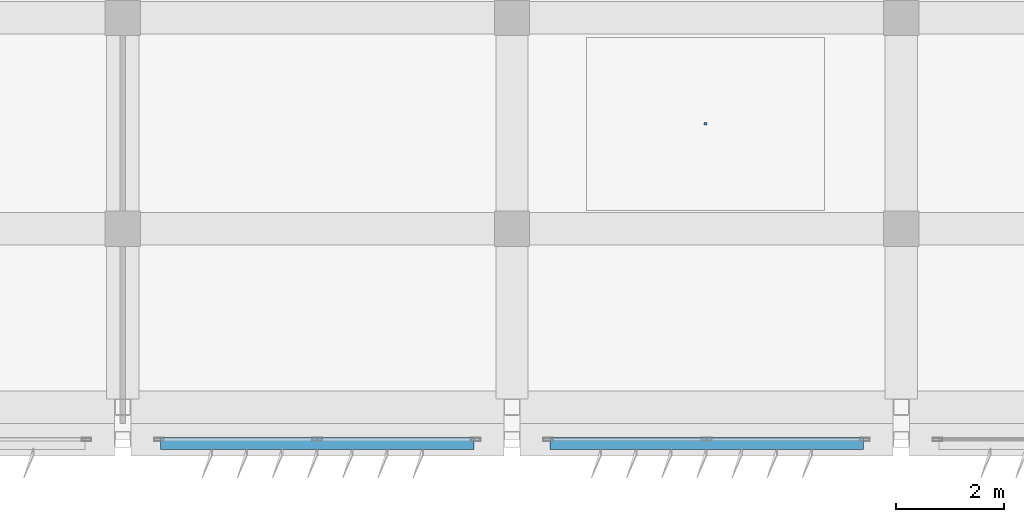
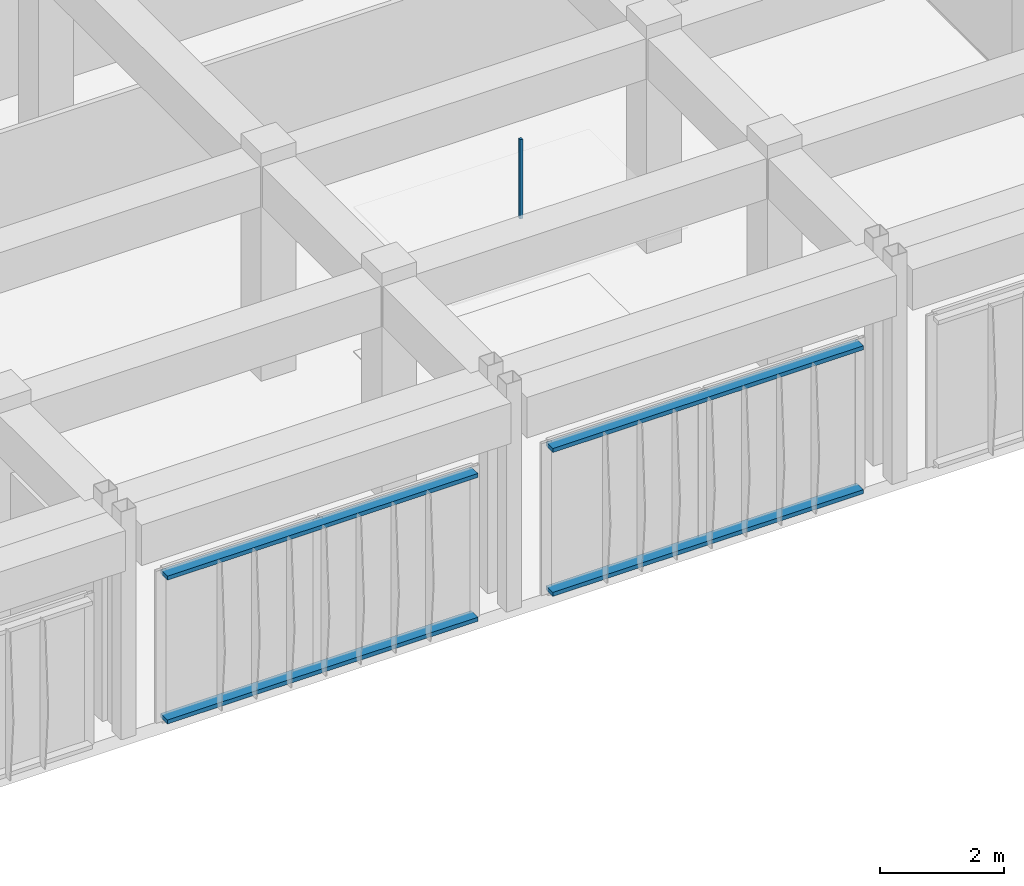
# One storey, part 42 of 56: 5 discrete accessories.
"""IFC4 building model written with IfcOpenShell, lengths in metres."""

from ifc_helpers import new_model, si_unit, direction, frame, origin, origin_2d, place, context, subcontext, project, spatial, rectangle, extrude, material, type_object, element, save


model = new_model("IFC4")

# Units and contexts
model_context = context("Model", 3, precision=1e-05, world=origin(), true_north=direction((0.0, 1.0)))
body_context = subcontext(model_context, "Body", "Model", "MODEL_VIEW")
ifc_project = project(units=[si_unit("LENGTHUNIT", "METRE"), si_unit("AREAUNIT", "SQUARE_METRE"), si_unit("VOLUMEUNIT", "CUBIC_METRE"), si_unit("PLANEANGLEUNIT", "RADIAN"), si_unit("MASSUNIT", "GRAM", prefix="KILO")], contexts=[model_context])

# Site, building, storey
site_placement = place(None, origin())
site = spatial("IfcSite", under=ifc_project, at=site_placement, CompositionType="ELEMENT")
building_placement = place(site_placement, origin())
building = spatial("IfcBuilding", under=site, at=building_placement, Name="Kazehaya Institute of Natural Sciences", CompositionType="ELEMENT")
storey_placement = place(building_placement, frame((0.0, 0.0, 28.800048828125)))
storey = spatial("IfcBuildingStorey", under=building, at=storey_placement, Name="L06", CompositionType="ELEMENT", Elevation=28.800048828125)

# Discrete accessories
ifc_material_1 = material(Name="Aluminium alloy A6063S-T5", Category="aluminium")
discrete_accessory_type_1 = type_object("IfcDiscreteAccessoryType", Name="ACC-BRK-01", PredefinedType="BRACKET", material=ifc_material_1)
for number, where, z_axis, x_axis, name in (
    (1, (108.60009765625, 6.125, 0.039794921875), (0.0, 0.0, 1.0), (-1.0, 0.0, 0.0), "L06 fin support outrigger rail 1"),
    (2, (108.60009765625, 6.125, 2.8798828125), (0.0, 0.0, 1.0), (-1.0, 0.0, 0.0), "L06 fin support outrigger rail 2"),
    (3, (101.39990234375, 6.125, 0.039794921875), (0.0, 0.0, 1.0), (-1.0, 0.0, 0.0), "L06 fin support outrigger rail 1"),
    (4, (101.39990234375, 6.125, 2.8798828125), (0.0, 0.0, 1.0), (-1.0, 0.0, 0.0), "L06 fin support outrigger rail 2"),
):
    element("IfcDiscreteAccessory", number, at=place(storey_placement, frame(where, z_axis=z_axis, x_axis=x_axis)), inside=storey, type_object=discrete_accessory_type_1, Name=name, PredefinedType="BRACKET", context=body_context, shape_type="SweptSolid", body=[
        extrude(rectangle(XDim=5.800048828125, YDim=0.219970703125, at=origin_2d()), origin(), (0.0, 0.0, 1.0), 0.080078125),
    ])
ifc_material_2 = material(Name="Structural steel SN490B", Category="steel")
discrete_accessory_type_2 = type_object("IfcDiscreteAccessoryType", Name="ACC-CLG-HGR", PredefinedType="BRACKET", material=ifc_material_2)
discrete_accessory_placement = place(storey_placement, frame((108.578125, 12.04052734375, 2.8525390625), z_axis=(0.0, 0.0, 1.0), x_axis=(1.0, 0.0, 0.0)))
element("IfcDiscreteAccessory", 5, at=discrete_accessory_placement, inside=storey, type_object=discrete_accessory_type_2, Name="L06 ceiling suspension hanger 58", PredefinedType="BRACKET", context=body_context, shape_type="SweptSolid", body=[
    extrude(rectangle(XDim=0.050048828125, YDim=0.050048828125, at=origin_2d()), origin(), (0.0, 0.0, 1.0), 1.5673828125),
])

save(model, "model.ifc")
